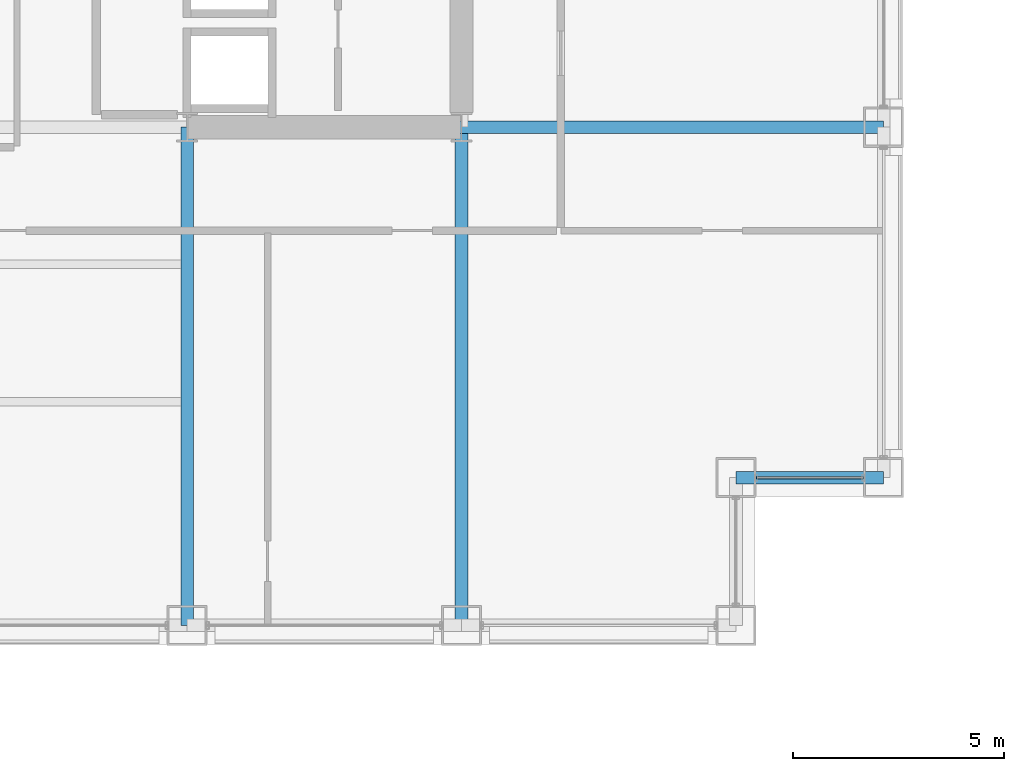
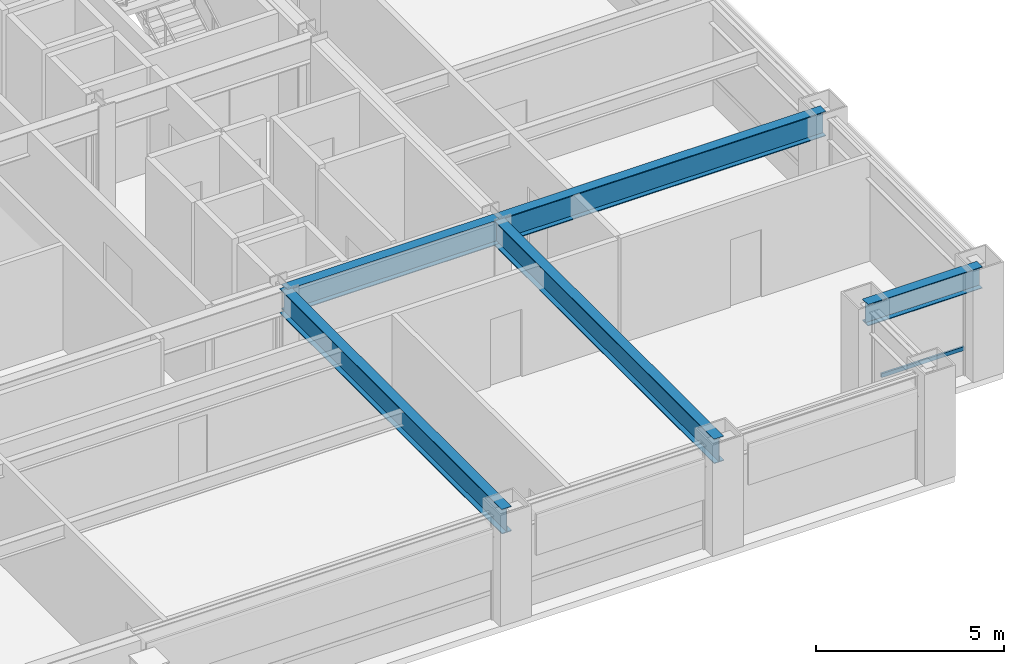
# One storey, part 11 of 31: 5 beams, 1 member, 1 element without a shape of its own.
"""IFC4 building model written with IfcOpenShell, lengths in metres."""

import ifcopenshell
import ifcopenshell.guid

model = None  # the IFC model being written
_history = None  # IfcOwnerHistory: only IFC2X3 demands one
_inside = {}  # id of a spatial element -> (the spatial element, [elements in it])
_under = {}  # id of a project, library or spatial element -> (it, [spatial elements below it])
_declared = {}  # id of a project -> (the project, [libraries it declares])
_typed = {}  # id of a type object -> (the type object, [elements of that type])
_made_of = {}  # id of a material, layer set ... -> (it, [elements and type objects made of it])


def new_model(schema):
    """Start an empty IFC model of exactly this schema.

    Asked for "IFC4X3", IfcOpenShell would pick the latest addendum, in which some entities
    have other attributes; the version numbers below select the first issue.
    IFC2X3 requires an IfcOwnerHistory on every rooted entity: one is made here for all.
    """
    global model, _history
    if schema == "IFC4X3":
        model = ifcopenshell.file(schema_version=(4, 3, 0, 0))
    else:
        model = ifcopenshell.file(schema=schema)
    _inside.clear()
    _under.clear()
    _declared.clear()
    _typed.clear()
    _made_of.clear()
    _history = None
    if model.schema == "IFC2X3":
        org = make("IfcOrganization", Name="unknown")
        user = make(
            "IfcPersonAndOrganization",
            ThePerson=make("IfcPerson", FamilyName="unknown"),
            TheOrganization=org,
        )
        app = make(
            "IfcApplication",
            ApplicationDeveloper=org,
            Version="unknown",
            ApplicationFullName="unknown",
            ApplicationIdentifier="unknown",
        )
        _history = make(
            "IfcOwnerHistory",
            OwningUser=user,
            OwningApplication=app,
            ChangeAction="ADDED",
            CreationDate=0,
        )
    return model


def make(cls, **values):
    """One entity of the class cls with the attributes given. An attribute that is None is left unset."""
    return model.create_entity(
        cls, **{name: value for name, value in values.items() if value is not None}
    )


def rooted(cls, **values):
    """An entity with a GlobalId (a new one), such as an element, a storey or a relation."""
    return make(cls, GlobalId=ifcopenshell.guid.new(), OwnerHistory=_history, **values)


def si_unit(unit_type, name, prefix=None):
    """IfcSIUnit, for example si_unit("LENGTHUNIT", "METRE", prefix="MILLI")."""
    return make("IfcSIUnit", UnitType=unit_type, Prefix=prefix, Name=name)


def assignment(units):
    """IfcUnitAssignment: the units of a project."""
    return None if units is None else make("IfcUnitAssignment", Units=units)


def point(xyz):
    """IfcCartesianPoint."""
    return None if xyz is None else make("IfcCartesianPoint", Coordinates=xyz)


def direction(xyz):
    """IfcDirection."""
    return None if xyz is None else make("IfcDirection", DirectionRatios=xyz)


def frame(location, z_axis=None, x_axis=None):
    """IfcAxis2Placement3D, a coordinate frame: its origin and axes. An axis left out is left unset."""
    return make(
        "IfcAxis2Placement3D",
        Location=point(location),
        Axis=direction(z_axis),
        RefDirection=direction(x_axis),
    )


def frame_2d(location, x_axis=None):
    """IfcAxis2Placement2D, a coordinate frame in the plane: its origin and x axis."""
    return make(
        "IfcAxis2Placement2D", Location=point(location), RefDirection=direction(x_axis)
    )


def origin():
    """The frame at (0, 0, 0) with its axes left unset."""
    return frame((0.0, 0.0, 0.0))


def origin_2d():
    """The frame at (0, 0) in the plane with its x axis left unset."""
    return frame_2d((0.0, 0.0))


def place(relative_to, where):
    """IfcLocalPlacement: puts the frame where relative to a parent placement (None: the world)."""
    return make(
        "IfcLocalPlacement", PlacementRelTo=relative_to, RelativePlacement=where
    )


def context(
    kind, dimensions, precision=None, world=None, true_north=None, identifier=None
):
    """IfcGeometricRepresentationContext, for example the 3D "Model" context."""
    return make(
        "IfcGeometricRepresentationContext",
        ContextIdentifier=identifier,
        ContextType=kind,
        CoordinateSpaceDimension=dimensions,
        Precision=precision,
        WorldCoordinateSystem=world,
        TrueNorth=true_north,
    )


def subcontext(parent, identifier, kind, view, scale=None):
    """IfcGeometricRepresentationSubContext, for example "Body" below "Model"."""
    return make(
        "IfcGeometricRepresentationSubContext",
        ContextIdentifier=identifier,
        ContextType=kind,
        ParentContext=parent,
        TargetScale=scale,
        TargetView=view,
    )


def project(units=None, contexts=None):
    """IfcProject with its units and contexts."""
    return rooted(
        "IfcProject",
        Name="project",
        RepresentationContexts=contexts,
        UnitsInContext=assignment(units),
    )


def spatial(cls, under=None, at=None, **own):
    """A site, building, storey or space (cls), placed at a placement, below another one or the project."""
    s = rooted(cls, ObjectPlacement=at, **own)
    if under is not None:
        _under.setdefault(under.id(), (under, []))[1].append(s)
    return s


def profile(cls, at=None, kind="AREA", **sizes):
    """A parametric profile (cls). Its sizes go by their IFC names, for example OverallWidth=200.0."""
    return make(cls, ProfileType=kind, Position=at, **sizes)


def hollow_rectangle(**sizes):
    """IfcRectangleHollowProfileDef."""
    return profile("IfcRectangleHollowProfileDef", **sizes)


def i_section(**sizes):
    """IfcIShapeProfileDef."""
    return profile("IfcIShapeProfileDef", **sizes)


def extrude(swept, where, along, depth):
    """IfcExtrudedAreaSolid: the profile swept, set in the frame where, extruded along a direction by depth."""
    return make(
        "IfcExtrudedAreaSolid",
        SweptArea=swept,
        Position=where,
        ExtrudedDirection=direction(along),
        Depth=depth,
    )


def shape(context_of_items, identifier, shape_type, items):
    """IfcShapeRepresentation: the items that make up one representation, for example the "Body"."""
    return make(
        "IfcShapeRepresentation",
        ContextOfItems=context_of_items,
        RepresentationIdentifier=identifier,
        RepresentationType=shape_type,
        Items=items,
    )


def material(Name=None, Category=None):
    """IfcMaterial."""
    return make("IfcMaterial", Name=Name, Category=Category)


def layer(
    of_material, thickness, ventilated=None, Name=None, Category=None, Priority=None
):
    """IfcMaterialLayer: one layer of a wall or slab, of a material (None: an air gap)."""
    return make(
        "IfcMaterialLayer",
        Material=of_material,
        LayerThickness=thickness,
        IsVentilated=ventilated,
        Name=Name,
        Category=Category,
        Priority=Priority,
    )


def layer_set(layers, Name=None):
    """IfcMaterialLayerSet."""
    return make("IfcMaterialLayerSet", MaterialLayers=layers, LayerSetName=Name)


def material_profile(
    of_material, cross_section, Name=None, Category=None, Priority=None
):
    """IfcMaterialProfile: a cross section and its material."""
    return make(
        "IfcMaterialProfile",
        Name=Name,
        Material=of_material,
        Profile=cross_section,
        Priority=Priority,
        Category=Category,
    )


def profile_set(profiles, Name=None, composite=None):
    """IfcMaterialProfileSet."""
    return make(
        "IfcMaterialProfileSet",
        Name=Name,
        MaterialProfiles=profiles,
        CompositeProfile=composite,
    )


def made_of(thing, what):
    """Note that an element or type object is made of a material, layer set ...; save() writes the relation."""
    if what is not None:
        _made_of.setdefault(what.id(), (what, []))[1].append(thing)
    return thing


def type_object(cls, material=None, **own):
    """A type object (cls), such as IfcWallType, which elements share."""
    return made_of(rooted(cls, **own), material)


def element(
    cls,
    number,
    at=None,
    inside=None,
    cuts=None,
    type_object=None,
    material=None,
    context=None,
    identifier="Body",
    shape_type=None,
    held_by="IfcProductDefinitionShape",
    body=None,
    shapes=None,
    **own,
):
    """One element of the class cls, such as IfcWall. Its Tag is "e" and its number.

    at: its placement. inside: the storey or other place that contains it. cuts: it is an
    opening in that element (IfcRelVoidsElement). A single representation is given by context,
    identifier, shape_type and body (its items); several are given by shapes. held_by: the class
    of the entity that holds the representations. save() writes the other relations.
    """
    e = rooted(cls, Tag="e%d" % number, ObjectPlacement=at, **own)
    if body is not None:
        shapes = [shape(context, identifier, shape_type, body)]
    if shapes is not None:
        e.Representation = make(held_by, Representations=shapes)
    if inside is not None:
        _inside.setdefault(inside.id(), (inside, []))[1].append(e)
    if cuts is not None:
        rooted(
            "IfcRelVoidsElement", RelatingBuildingElement=cuts, RelatedOpeningElement=e
        )
    if type_object is not None:
        _typed.setdefault(type_object.id(), (type_object, []))[1].append(e)
    return made_of(e, material)


def aggregate(whole, parts):
    """IfcRelAggregates: a whole, such as a stair, and the parts it consists of."""
    return rooted("IfcRelAggregates", RelatingObject=whole, RelatedObjects=parts)


def save(model, path):
    """Write the relations noted so far, then the file.

    IfcRelAggregates (storeys below a building ...), IfcRelContainedInSpatialStructure (elements
    in a storey), IfcRelDefinesByType, IfcRelAssociatesMaterial and IfcRelDeclares: one each for
    every whole, place, type object, material and project.
    """
    for whole, parts in _under.values():
        aggregate(whole, parts)
    for where, things in _inside.values():
        rooted(
            "IfcRelContainedInSpatialStructure",
            RelatedElements=things,
            RelatingStructure=where,
        )
    for kind, things in _typed.values():
        rooted("IfcRelDefinesByType", RelatedObjects=things, RelatingType=kind)
    for what, things in _made_of.values():
        rooted("IfcRelAssociatesMaterial", RelatedObjects=things, RelatingMaterial=what)
    for by, libraries in _declared.values():
        rooted("IfcRelDeclares", RelatingContext=by, RelatedDefinitions=libraries)
    model.write(path)


model = new_model("IFC4")

# Units and contexts
model_context = context("Model", 3, precision=1e-05, world=origin(), true_north=direction((0.0, 1.0)))
body_context = subcontext(model_context, "Body", "Model", "MODEL_VIEW")
ifc_project = project(units=[si_unit("LENGTHUNIT", "METRE"), si_unit("AREAUNIT", "SQUARE_METRE"), si_unit("VOLUMEUNIT", "CUBIC_METRE"), si_unit("PLANEANGLEUNIT", "RADIAN"), si_unit("MASSUNIT", "GRAM", prefix="KILO")], contexts=[model_context])

# Site, building, storey
site_placement = place(None, origin())
site = spatial("IfcSite", under=ifc_project, at=site_placement, CompositionType="ELEMENT")
building_placement = place(site_placement, origin())
building = spatial("IfcBuilding", under=site, at=building_placement, Name="Brelmoor Portico Tower", CompositionType="ELEMENT")
storey_placement = place(building_placement, frame((0.0, 0.0, 27.60009765625)))
storey = spatial("IfcBuildingStorey", under=building, at=storey_placement, Name="L06", CompositionType="ELEMENT", Elevation=27.60009765625)

# Beams
ifc_material_1 = material(Name="Steel Q355B", Category="steel")
ifc_material_profile_1 = material_profile(ifc_material_1, i_section(OverallWidth=0.300048828125, OverallDepth=0.800048828125, WebThickness=0.013916015625, FlangeThickness=0.02587890625, at=origin_2d()), Name="HN 800x300x14x26")
ifc_profile_set_1 = profile_set([ifc_material_profile_1], Name="Steel Q355B")
beam_type_1 = type_object("IfcBeamType", Name="BM-PG-800", PredefinedType="BEAM", material=ifc_profile_set_1)
for number, where, z_axis, x_axis, name in (
    (1, (8.050048828125, -21.550048828125, 3.0), (0.0, 1.0, 0.0), (-1.0, 0.0, 0.0), "L06 Primary Floor Girder PG-09"),
    (2, (14.550048828125, -21.550048828125, 3.0), (0.0, 1.0, 0.0), (-1.0, 0.0, 0.0), "L06 Primary Floor Girder PG-11"),
):
    element("IfcBeam", number, at=place(storey_placement, frame(where, z_axis=z_axis, x_axis=x_axis)), inside=storey, type_object=beam_type_1, Name=name, PredefinedType="BEAM", context=body_context, shape_type="SweptSolid", body=[
        extrude(i_section(OverallWidth=0.300048828125, OverallDepth=0.800048828125, WebThickness=0.013916015625, FlangeThickness=0.02587890625, at=origin_2d()), origin(), (0.0, 0.0, 1.0), 11.800048828125),
    ])
beam_1_placement = place(storey_placement, frame((8.050048828125, -9.75, 3.0), z_axis=(1.0, 0.0, 0.0), x_axis=(0.0, 1.0, 0.0)))
element("IfcBeam", 3, at=beam_1_placement, inside=storey, type_object=beam_type_1, Name="L06 Primary Floor Girder PG-22", PredefinedType="BEAM", context=body_context, shape_type="SweptSolid", body=[
    extrude(i_section(OverallWidth=0.300048828125, OverallDepth=0.800048828125, WebThickness=0.013916015625, FlangeThickness=0.02587890625, at=origin_2d()), origin(), (0.0, 0.0, 1.0), 6.5),
])
beam_2_placement = place(storey_placement, frame((14.550048828125, -9.75, 3.0), z_axis=(1.0, 0.0, 0.0), x_axis=(0.0, 1.0, 0.0)))
element("IfcBeam", 4, at=beam_2_placement, inside=storey, type_object=beam_type_1, Name="L06 Primary Floor Girder PG-23", PredefinedType="BEAM", context=body_context, shape_type="SweptSolid", body=[
    extrude(i_section(OverallWidth=0.300048828125, OverallDepth=0.800048828125, WebThickness=0.013916015625, FlangeThickness=0.02587890625, at=origin_2d()), origin(), (0.0, 0.0, 1.0), 10.0),
])
ifc_material_profile_2 = material_profile(ifc_material_1, i_section(OverallWidth=0.300048828125, OverallDepth=0.699951171875, WebThickness=0.012939453125, FlangeThickness=0.02392578125, at=origin_2d()), Name="HN 700x300x13x24")
ifc_profile_set_2 = profile_set([ifc_material_profile_2], Name="Steel Q355B")
beam_type_2 = type_object("IfcBeamType", Name="BM-SP-700", PredefinedType="SPANDREL", material=ifc_profile_set_2)
beam_3_placement = place(storey_placement, frame((21.050048828125, -18.050048828125, 3.0498046875), z_axis=(1.0, 0.0, 0.0), x_axis=(0.0, 1.0, 0.0)))
element("IfcBeam", 5, at=beam_3_placement, inside=storey, type_object=beam_type_2, Name="L06 Perimeter Spandrel Beam SP-07", PredefinedType="SPANDREL", context=body_context, shape_type="SweptSolid", body=[
    extrude(i_section(OverallWidth=0.300048828125, OverallDepth=0.699951171875, WebThickness=0.012939453125, FlangeThickness=0.02392578125, at=origin_2d()), origin(), (0.0, 0.0, 1.0), 3.5),
])

# Curtain wall, member
ifc_material_2 = material(Name="Anodised Aluminium Alloy 6063-T6", Category="aluminium")
ifc_layer = layer(ifc_material_2, 0.179931640625)
ifc_layer_set = layer_set([ifc_layer], Name="Anodised Aluminium Alloy 6063-T6")
curtain_wall_type = type_object("IfcCurtainWallType", Name="CW-NOTCH-CHAMFER", PredefinedType="NOTDEFINED", material=ifc_layer_set)
curtain_wall_placement = place(storey_placement, origin())
curtain_wall = element("IfcCurtainWall", 6, at=curtain_wall_placement, inside=storey, type_object=curtain_wall_type, Name="L06 Curtain Wall CWN-L06-SEH", PredefinedType="NOTDEFINED")
ifc_material_profile_3 = material_profile(ifc_material_2, hollow_rectangle(XDim=0.06005859375, YDim=0.125, WallThickness=0.00341796875, at=origin_2d()), Name="ALU TRANSOM 60x125")
ifc_profile_set_3 = profile_set([ifc_material_profile_3], Name="Anodised Aluminium Alloy 6063-T6")
member_type = type_object("IfcMemberType", Name="MB-CW-TRAN-125", PredefinedType="USERDEFINED", material=ifc_profile_set_3)
member_placement = place(storey_placement, frame((21.534912109375, -18.050048828125, 0.849853515625), z_axis=(1.0, 0.0, 0.0), x_axis=(0.0, 1.0, 0.0)))
member = element("IfcMember", 7, at=member_placement, type_object=member_type, Name="CWN-L06-SEH Transom 1-00", ObjectType="TRANSOM", PredefinedType="USERDEFINED", context=body_context, shape_type="SweptSolid", body=[
    extrude(hollow_rectangle(XDim=0.06005859375, YDim=0.125, WallThickness=0.00341796875, at=origin_2d()), origin(), (0.0, 0.0, 1.0), 2.530029296875),
])
aggregate(curtain_wall, [member])

save(model, "model.ifc")
